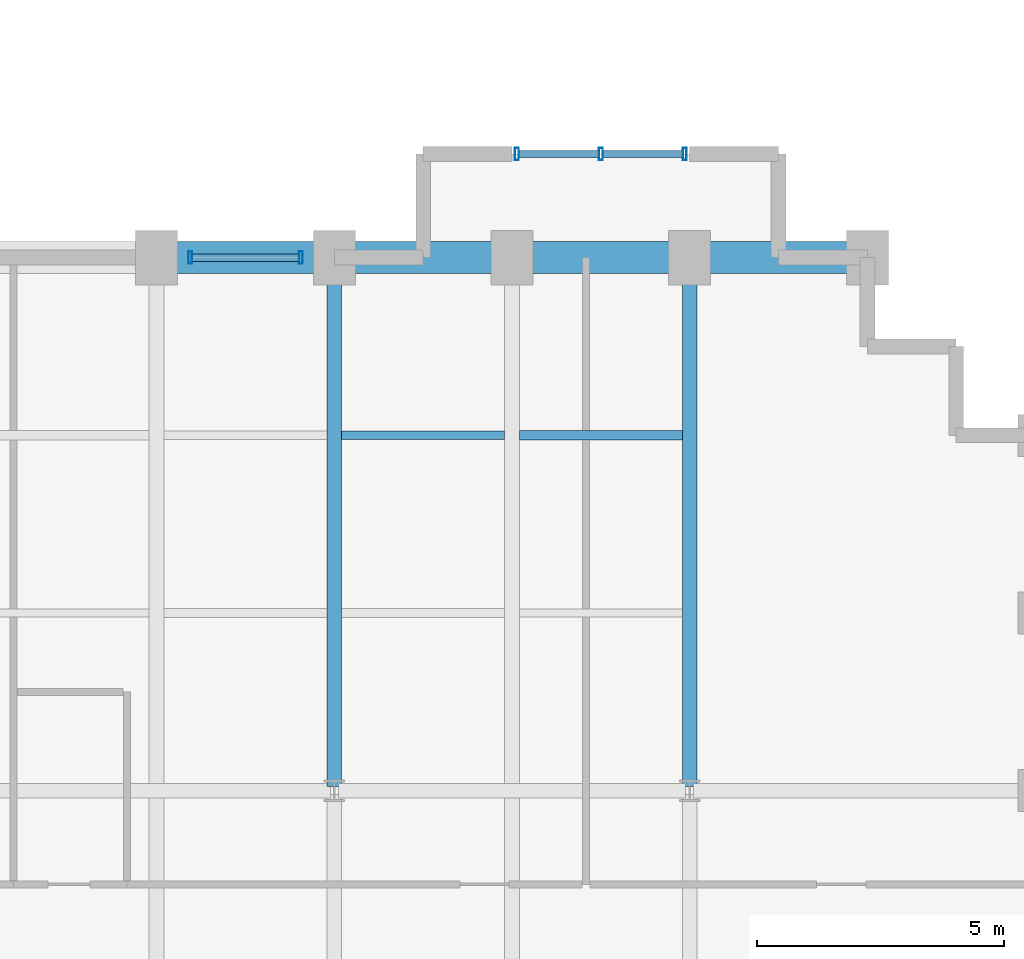
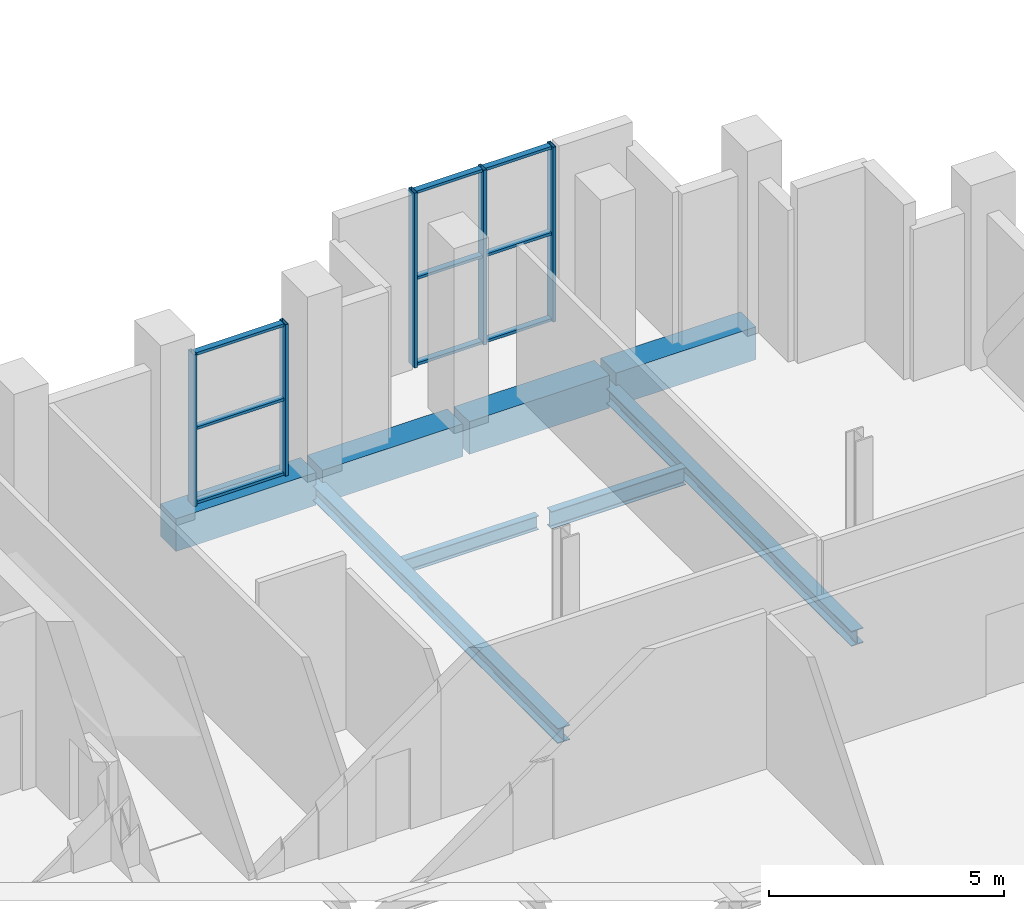
# One storey, part 12 of 22: 14 members, 8 beams, 2 elements without a shape of their own.
"""IFC4 building model written with IfcOpenShell, lengths in metres."""

from ifc_helpers import new_model, si_unit, direction, frame, origin, origin_2d, place, context, subcontext, project, spatial, rectangle, hollow_rectangle, i_section, extrude, material, layer, layer_set, material_profile, profile_set, type_object, element, aggregate, save


model = new_model("IFC4")

# Units and contexts
model_context = context("Model", 3, precision=1e-05, world=origin(), true_north=direction((0.0, 1.0)))
body_context = subcontext(model_context, "Body", "Model", "MODEL_VIEW")
ifc_project = project(units=[si_unit("LENGTHUNIT", "METRE"), si_unit("AREAUNIT", "SQUARE_METRE"), si_unit("VOLUMEUNIT", "CUBIC_METRE"), si_unit("PLANEANGLEUNIT", "RADIAN"), si_unit("MASSUNIT", "GRAM", prefix="KILO")], contexts=[model_context])

# Site, building, storey
site_placement = place(None, origin())
site = spatial("IfcSite", under=ifc_project, at=site_placement, CompositionType="ELEMENT")
building_placement = place(site_placement, origin())
building = spatial("IfcBuilding", under=site, at=building_placement, Name="Solnavia Interchange Tower", CompositionType="ELEMENT")
storey_placement = place(building_placement, frame((0.0, 0.0, 115.199951171875)))
storey = spatial("IfcBuildingStorey", under=building, at=storey_placement, Name="L28", CompositionType="ELEMENT", Elevation=115.199951171875)

# Beams
ifc_material_1 = material(Name="Steel S355", Category="steel")
ifc_material_profile_1 = material_profile(ifc_material_1, i_section(OverallWidth=0.169921875, OverallDepth=0.360107421875, WebThickness=0.008056640625, FlangeThickness=0.0126953125, FilletRadius=0.01806640625, at=origin_2d()), Name="IPE 360")
ifc_profile_set_1 = profile_set([ifc_material_profile_1], Name="Steel S355")
beam_type_1 = type_object("IfcBeamType", Name="Beam-Joist-IPE360", PredefinedType="JOIST", material=ifc_profile_set_1)
beam_1_placement = place(storey_placement, frame((43.35009765625, 21.60009765625, -0.5), z_axis=(1.0, 0.0, 0.0), x_axis=(0.0, 1.0, 0.0)))
element("IfcBeam", 1, at=beam_1_placement, inside=storey, type_object=beam_type_1, Name="JST-L28-E15 East wing secondary joist", PredefinedType="JOIST", context=body_context, shape_type="SweptSolid", body=[
    extrude(i_section(OverallWidth=0.169921875, OverallDepth=0.360107421875, WebThickness=0.008056640625, FlangeThickness=0.0126953125, FilletRadius=0.01806640625, at=origin_2d()), origin(), (0.0, 0.0, 1.0), 3.2998046875),
])
ifc_material_profile_2 = material_profile(ifc_material_1, i_section(OverallWidth=0.18994140625, OverallDepth=0.449951171875, WebThickness=0.009521484375, FlangeThickness=0.0146484375, FilletRadius=0.02099609375, at=origin_2d()), Name="IPE 450")
ifc_profile_set_2 = profile_set([ifc_material_profile_2], Name="Steel S355")
beam_type_2 = type_object("IfcBeamType", Name="Beam-Joist-IPE450", PredefinedType="JOIST", material=ifc_profile_set_2)
beam_2_placement = place(storey_placement, frame((46.949951171875, 21.60009765625, -0.544921875), z_axis=(1.0, 0.0, 0.0), x_axis=(0.0, 1.0, 0.0)))
element("IfcBeam", 2, at=beam_2_placement, inside=storey, type_object=beam_type_2, Name="JST-L28-E16 East wing secondary joist", PredefinedType="JOIST", context=body_context, shape_type="SweptSolid", body=[
    extrude(i_section(OverallWidth=0.18994140625, OverallDepth=0.449951171875, WebThickness=0.009521484375, FlangeThickness=0.0146484375, FilletRadius=0.02099609375, at=origin_2d()), origin(), (0.0, 0.0, 1.0), 3.300048828125),
])
ifc_material_profile_3 = material_profile(ifc_material_1, i_section(OverallWidth=0.300048828125, OverallDepth=0.389892578125, WebThickness=0.010986328125, FlangeThickness=0.01904296875, FilletRadius=0.027099609375, at=origin_2d()), Name="HEA 400")
ifc_profile_set_3 = profile_set([ifc_material_profile_3], Name="Steel S355")
beam_type_3 = type_object("IfcBeamType", Name="Beam-Primary-HEA400", PredefinedType="BEAM", material=ifc_profile_set_3)
for number, where, z_axis, x_axis, name in (
    (3, (43.199951171875, 14.47998046875, -0.514892578125), (0.0, 1.0, 0.0), (-1.0, 0.0, 0.0), "GRD-L28-EW07 East wing primary floor girder"),
    (4, (50.39990234375, 14.47998046875, -0.514892578125), (0.0, 1.0, 0.0), (-1.0, 0.0, 0.0), "GRD-L28-EW10 East wing primary floor girder"),
):
    element("IfcBeam", number, at=place(storey_placement, frame(where, z_axis=z_axis, x_axis=x_axis)), inside=storey, type_object=beam_type_3, Name=name, PredefinedType="BEAM", context=body_context, shape_type="SweptSolid", body=[
        extrude(i_section(OverallWidth=0.300048828125, OverallDepth=0.389892578125, WebThickness=0.010986328125, FlangeThickness=0.01904296875, FilletRadius=0.027099609375, at=origin_2d()), origin(), (0.0, 0.0, 1.0), 10.64013671875),
    ])
ifc_material_2 = material(Name="Concrete C50/60", Category="concrete")
ifc_material_profile_4 = material_profile(ifc_material_2, rectangle(XDim=0.64990234375, YDim=0.85009765625, at=origin_2d()), Name="RC 650x850")
ifc_profile_set_4 = profile_set([ifc_material_profile_4], Name="Concrete C50/60")
beam_type_4 = type_object("IfcBeamType", Name="Beam-Spandrel-RC650x850", PredefinedType="SPANDREL", material=ifc_profile_set_4)
beam_3_placement = place(storey_placement, frame((53.919921875, 25.199951171875, -0.425048828125), z_axis=(-1.0, 0.0, 0.0), x_axis=(0.0, -1.0, 0.0)))
element("IfcBeam", 5, at=beam_3_placement, inside=storey, type_object=beam_type_4, Name="SPB-L28-21 Framed-tube perimeter spandrel beam", PredefinedType="SPANDREL", context=body_context, shape_type="SweptSolid", body=[
    extrude(rectangle(XDim=0.64990234375, YDim=0.85009765625, at=origin_2d()), origin(), (0.0, 0.0, 1.0), 3.43994140625),
])
beam_4_placement = place(storey_placement, frame((50.320068359375, 25.199951171875, -0.425048828125), z_axis=(-1.0, 0.0, 0.0), x_axis=(0.0, -1.0, 0.0)))
element("IfcBeam", 6, at=beam_4_placement, inside=storey, type_object=beam_type_4, Name="SPB-L28-22 Framed-tube perimeter spandrel beam", PredefinedType="SPANDREL", context=body_context, shape_type="SweptSolid", body=[
    extrude(rectangle(XDim=0.64990234375, YDim=0.85009765625, at=origin_2d()), origin(), (0.0, 0.0, 1.0), 3.440185546875),
])
beam_5_placement = place(storey_placement, frame((46.719970703125, 25.199951171875, -0.425048828125), z_axis=(-1.0, 0.0, 0.0), x_axis=(0.0, -1.0, 0.0)))
element("IfcBeam", 7, at=beam_5_placement, inside=storey, type_object=beam_type_4, Name="SPB-L28-23 Framed-tube perimeter spandrel beam", PredefinedType="SPANDREL", context=body_context, shape_type="SweptSolid", body=[
    extrude(rectangle(XDim=0.64990234375, YDim=0.85009765625, at=origin_2d()), origin(), (0.0, 0.0, 1.0), 3.43994140625),
])
beam_6_placement = place(storey_placement, frame((43.1201171875, 25.199951171875, -0.425048828125), z_axis=(-1.0, 0.0, 0.0), x_axis=(0.0, -1.0, 0.0)))
element("IfcBeam", 8, at=beam_6_placement, inside=storey, type_object=beam_type_4, Name="SPB-L28-24 Framed-tube perimeter spandrel beam", PredefinedType="SPANDREL", context=body_context, shape_type="SweptSolid", body=[
    extrude(rectangle(XDim=0.64990234375, YDim=0.85009765625, at=origin_2d()), origin(), (0.0, 0.0, 1.0), 3.440185546875),
])

# Curtain wall, members
ifc_material_3 = material(Name="Aluminium Alloy 6063-T6", Category="aluminium")
ifc_layer = layer(ifc_material_3, 0.27001953125)
ifc_layer_set = layer_set([ifc_layer], Name="Aluminium Alloy 6063-T6")
curtain_wall_type = type_object("IfcCurtainWallType", Name="CurtainWall-SkyLobby-CTW4", PredefinedType="NOTDEFINED", material=ifc_layer_set)
curtain_wall_1_placement = place(storey_placement, origin())
curtain_wall_1 = element("IfcCurtainWall", 9, at=curtain_wall_1_placement, inside=storey, type_object=curtain_wall_type, Name="CTW-L28-S24 CTW-4 curtain wall", PredefinedType="NOTDEFINED")
ifc_material_profile_5 = material_profile(ifc_material_3, hollow_rectangle(XDim=0.080078125, YDim=0.25, WallThickness=0.006103515625, at=origin_2d()), Name="ALU 250x80x6")
ifc_profile_set_5 = profile_set([ifc_material_profile_5], Name="Aluminium Alloy 6063-T6")
member_type_1 = type_object("IfcMemberType", Name="CW-Mullion-CWM-4", PredefinedType="MULLION", material=ifc_profile_set_5)
member_1_placement = place(storey_placement, frame((50.300048828125, 27.300048828125, 0.0), z_axis=(0.0, 0.0, 1.0), x_axis=(-1.0, 0.0, 0.0)))
member_1 = element("IfcMember", 10, at=member_1_placement, type_object=member_type_1, Name="CTW-4 mullion 1", PredefinedType="MULLION", context=body_context, shape_type="SweptSolid", body=[
    extrude(hollow_rectangle(XDim=0.080078125, YDim=0.25, WallThickness=0.006103515625, at=origin_2d()), origin(), (0.0, 0.0, 1.0), 4.53515625),
])
member_2_placement = place(storey_placement, frame((48.60009765625, 27.300048828125, 0.0), z_axis=(0.0, 0.0, 1.0), x_axis=(-1.0, 0.0, 0.0)))
member_2 = element("IfcMember", 11, at=member_2_placement, type_object=member_type_1, Name="CTW-4 mullion 2", PredefinedType="MULLION", context=body_context, shape_type="SweptSolid", body=[
    extrude(hollow_rectangle(XDim=0.080078125, YDim=0.25, WallThickness=0.006103515625, at=origin_2d()), origin(), (0.0, 0.0, 1.0), 4.53515625),
])
member_3_placement = place(storey_placement, frame((46.89990234375, 27.300048828125, 0.0), z_axis=(0.0, 0.0, 1.0), x_axis=(-1.0, 0.0, 0.0)))
member_3 = element("IfcMember", 12, at=member_3_placement, type_object=member_type_1, Name="CTW-4 mullion 3", PredefinedType="MULLION", context=body_context, shape_type="SweptSolid", body=[
    extrude(hollow_rectangle(XDim=0.080078125, YDim=0.25, WallThickness=0.006103515625, at=origin_2d()), origin(), (0.0, 0.0, 1.0), 4.53515625),
])

curtain_wall_2_placement = place(storey_placement, origin())
curtain_wall_2 = element("IfcCurtainWall", 13, at=curtain_wall_2_placement, inside=storey, type_object=curtain_wall_type, Name="CTW-L28-S28 CTW-4 curtain wall", PredefinedType="NOTDEFINED")
member_4_placement = place(storey_placement, frame((42.52001953125, 25.199951171875, 0.0), z_axis=(0.0, 0.0, 1.0), x_axis=(-1.0, 0.0, 0.0)))
member_4 = element("IfcMember", 14, at=member_4_placement, type_object=member_type_1, Name="CTW-4 mullion 1", PredefinedType="MULLION", context=body_context, shape_type="SweptSolid", body=[
    extrude(hollow_rectangle(XDim=0.080078125, YDim=0.25, WallThickness=0.006103515625, at=origin_2d()), origin(), (0.0, 0.0, 1.0), 3.929931640625),
])
member_5_placement = place(storey_placement, frame((40.280029296875, 25.199951171875, 0.0), z_axis=(0.0, 0.0, 1.0), x_axis=(-1.0, 0.0, 0.0)))
member_5 = element("IfcMember", 15, at=member_5_placement, type_object=member_type_1, Name="CTW-4 mullion 2", PredefinedType="MULLION", context=body_context, shape_type="SweptSolid", body=[
    extrude(hollow_rectangle(XDim=0.080078125, YDim=0.25, WallThickness=0.006103515625, at=origin_2d()), origin(), (0.0, 0.0, 1.0), 3.929931640625),
])

# Member
ifc_material_profile_6 = material_profile(ifc_material_3, hollow_rectangle(XDim=0.070068359375, YDim=0.14990234375, WallThickness=0.00439453125, at=origin_2d()), Name="ALU 150x70x4.5")
ifc_profile_set_6 = profile_set([ifc_material_profile_6], Name="Aluminium Alloy 6063-T6")
member_type_2 = type_object("IfcMemberType", Name="CW-Transom-CWT-4", PredefinedType="USERDEFINED", material=ifc_profile_set_6)
member_6_placement = place(storey_placement, frame((50.260009765625, 27.300048828125, 0.03515625), z_axis=(-1.0, 0.0, 0.0), x_axis=(0.0, 0.0, 1.0)))
member_6 = element("IfcMember", 16, at=member_6_placement, type_object=member_type_2, Name="CTW-4 transom 1.1", ObjectType="TRANSOM", PredefinedType="USERDEFINED", context=body_context, shape_type="SweptSolid", body=[
    extrude(hollow_rectangle(XDim=0.070068359375, YDim=0.14990234375, WallThickness=0.00439453125, at=origin_2d()), origin(), (0.0, 0.0, 1.0), 1.6201171875),
])

member_7_placement = place(storey_placement, frame((50.260009765625, 27.300048828125, 2.26806640625), z_axis=(-1.0, 0.0, 0.0), x_axis=(0.0, 0.0, 1.0)))
member_7 = element("IfcMember", 17, at=member_7_placement, type_object=member_type_2, Name="CTW-4 transom 1.2", ObjectType="TRANSOM", PredefinedType="USERDEFINED", context=body_context, shape_type="SweptSolid", body=[
    extrude(hollow_rectangle(XDim=0.070068359375, YDim=0.14990234375, WallThickness=0.00439453125, at=origin_2d()), origin(), (0.0, 0.0, 1.0), 1.6201171875),
])

member_8_placement = place(storey_placement, frame((50.260009765625, 27.300048828125, 4.5), z_axis=(-1.0, 0.0, 0.0), x_axis=(0.0, 0.0, 1.0)))
member_8 = element("IfcMember", 18, at=member_8_placement, type_object=member_type_2, Name="CTW-4 transom 1.3", ObjectType="TRANSOM", PredefinedType="USERDEFINED", context=body_context, shape_type="SweptSolid", body=[
    extrude(hollow_rectangle(XDim=0.070068359375, YDim=0.14990234375, WallThickness=0.00439453125, at=origin_2d()), origin(), (0.0, 0.0, 1.0), 1.6201171875),
])

member_9_placement = place(storey_placement, frame((48.56005859375, 27.300048828125, 0.03515625), z_axis=(-1.0, 0.0, 0.0), x_axis=(0.0, 0.0, 1.0)))
member_9 = element("IfcMember", 19, at=member_9_placement, type_object=member_type_2, Name="CTW-4 transom 2.1", ObjectType="TRANSOM", PredefinedType="USERDEFINED", context=body_context, shape_type="SweptSolid", body=[
    extrude(hollow_rectangle(XDim=0.070068359375, YDim=0.14990234375, WallThickness=0.00439453125, at=origin_2d()), origin(), (0.0, 0.0, 1.0), 1.6201171875),
])

member_10_placement = place(storey_placement, frame((48.56005859375, 27.300048828125, 2.26806640625), z_axis=(-1.0, 0.0, 0.0), x_axis=(0.0, 0.0, 1.0)))
member_10 = element("IfcMember", 20, at=member_10_placement, type_object=member_type_2, Name="CTW-4 transom 2.2", ObjectType="TRANSOM", PredefinedType="USERDEFINED", context=body_context, shape_type="SweptSolid", body=[
    extrude(hollow_rectangle(XDim=0.070068359375, YDim=0.14990234375, WallThickness=0.00439453125, at=origin_2d()), origin(), (0.0, 0.0, 1.0), 1.6201171875),
])

member_11_placement = place(storey_placement, frame((48.56005859375, 27.300048828125, 4.5), z_axis=(-1.0, 0.0, 0.0), x_axis=(0.0, 0.0, 1.0)))
member_11 = element("IfcMember", 21, at=member_11_placement, type_object=member_type_2, Name="CTW-4 transom 2.3", ObjectType="TRANSOM", PredefinedType="USERDEFINED", context=body_context, shape_type="SweptSolid", body=[
    extrude(hollow_rectangle(XDim=0.070068359375, YDim=0.14990234375, WallThickness=0.00439453125, at=origin_2d()), origin(), (0.0, 0.0, 1.0), 1.6201171875),
])

aggregate(curtain_wall_1, [member_1, member_2, member_3, member_6, member_7, member_8, member_9, member_10, member_11])

member_12_placement = place(storey_placement, frame((42.47998046875, 25.199951171875, 0.03515625), z_axis=(-1.0, 0.0, 0.0), x_axis=(0.0, 0.0, 1.0)))
member_12 = element("IfcMember", 22, at=member_12_placement, type_object=member_type_2, Name="CTW-4 transom 1.1", ObjectType="TRANSOM", PredefinedType="USERDEFINED", context=body_context, shape_type="SweptSolid", body=[
    extrude(hollow_rectangle(XDim=0.070068359375, YDim=0.14990234375, WallThickness=0.00439453125, at=origin_2d()), origin(), (0.0, 0.0, 1.0), 2.159912109375),
])

member_13_placement = place(storey_placement, frame((42.47998046875, 25.199951171875, 1.965087890625), z_axis=(-1.0, 0.0, 0.0), x_axis=(0.0, 0.0, 1.0)))
member_13 = element("IfcMember", 23, at=member_13_placement, type_object=member_type_2, Name="CTW-4 transom 1.2", ObjectType="TRANSOM", PredefinedType="USERDEFINED", context=body_context, shape_type="SweptSolid", body=[
    extrude(hollow_rectangle(XDim=0.070068359375, YDim=0.14990234375, WallThickness=0.00439453125, at=origin_2d()), origin(), (0.0, 0.0, 1.0), 2.159912109375),
])

member_14_placement = place(storey_placement, frame((42.47998046875, 25.199951171875, 3.89501953125), z_axis=(-1.0, 0.0, 0.0), x_axis=(0.0, 0.0, 1.0)))
member_14 = element("IfcMember", 24, at=member_14_placement, type_object=member_type_2, Name="CTW-4 transom 1.3", ObjectType="TRANSOM", PredefinedType="USERDEFINED", context=body_context, shape_type="SweptSolid", body=[
    extrude(hollow_rectangle(XDim=0.070068359375, YDim=0.14990234375, WallThickness=0.00439453125, at=origin_2d()), origin(), (0.0, 0.0, 1.0), 2.159912109375),
])

aggregate(curtain_wall_2, [member_4, member_5, member_12, member_13, member_14])

save(model, "model.ifc")
